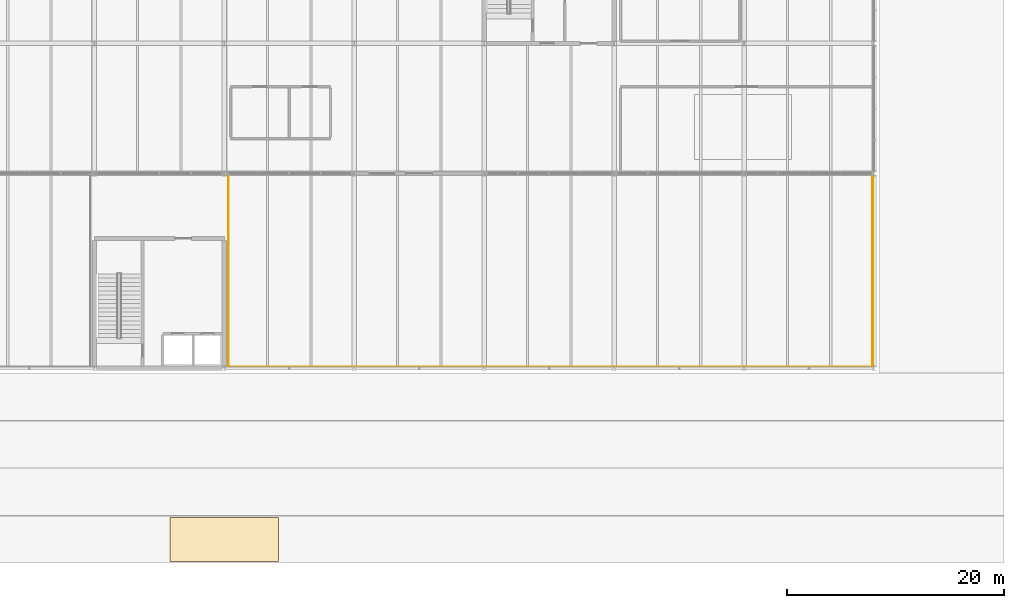
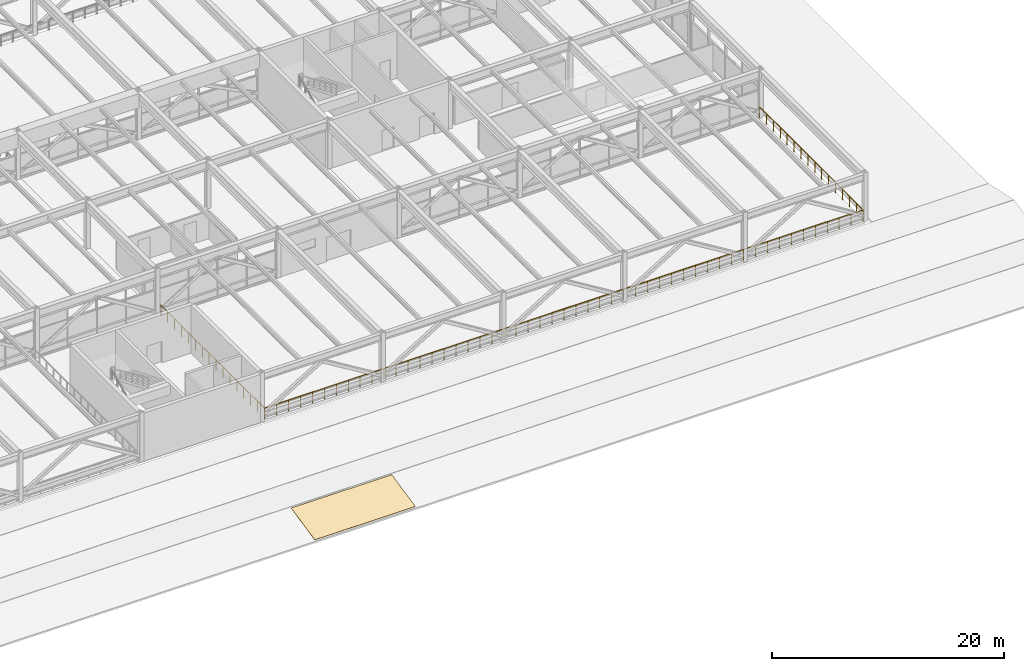
# One storey, part 40 of 42: 1 covering, 1 railing.
"""IFC4 building model written with IfcOpenShell, lengths in metres."""

from ifc_helpers import new_model, si_unit, direction, frame, origin, origin_2d, place, context, subcontext, project, spatial, polyline, circle, outline, extrude, material, layer, layer_set, type_object, element, save


model = new_model("IFC4")

# Units and contexts
model_context = context("Model", 3, precision=1e-05, world=origin(), true_north=direction((0.0, 1.0)))
body_context = subcontext(model_context, "Body", "Model", "MODEL_VIEW")
ifc_project = project(units=[si_unit("LENGTHUNIT", "METRE"), si_unit("AREAUNIT", "SQUARE_METRE"), si_unit("VOLUMEUNIT", "CUBIC_METRE"), si_unit("PLANEANGLEUNIT", "RADIAN"), si_unit("MASSUNIT", "GRAM", prefix="KILO")], contexts=[model_context])

# Site, building, storey
site_placement = place(None, origin())
site = spatial("IfcSite", under=ifc_project, at=site_placement, CompositionType="ELEMENT")
building_placement = place(site_placement, origin())
building = spatial("IfcBuilding", under=site, at=building_placement, Name="Girod Span Mobility Hub", CompositionType="ELEMENT")
storey_placement = place(building_placement, frame((0.0, 0.0, 32.39990234375)))
storey = spatial("IfcBuildingStorey", under=building, at=storey_placement, Name="L08", CompositionType="ELEMENT", Elevation=32.39990234375)

# Covering
ifc_material_1 = material(Name="EPDM Cool-Roof Waterproofing Membrane", Category="polymer")
ifc_layer_1 = layer(ifc_material_1, 0.02490234375)
ifc_layer_set_1 = layer_set([ifc_layer_1], Name="EPDM Cool-Roof Waterproofing Membrane")
covering_type = type_object("IfcCoveringType", Name="COV-RF-EPDM", PredefinedType="ROOFING", material=ifc_layer_set_1)
covering_placement = place(storey_placement, frame((79.0, 9.14990234375, 0.057373046875), z_axis=(0.0, -0.210318074485, 0.977633012712), x_axis=(1.0, 0.0, 0.0)))
element("IfcCovering", 1, at=covering_placement, inside=storey, type_object=covering_type, Name="Setback Roof Membrane L07 S", PredefinedType="ROOFING", context=body_context, shape_type="SweptSolid", body=[
    extrude(outline(polyline([(0.0, 0.0), (10.0, 0.0), (10.0, 4.162686841797971), (0.0, 4.162686841797971), (0.0, 0.0)])), origin(), (0.0, 0.0, -1.0), 0.02490234375),
])

# Railing
ifc_material_2 = material(Name="Anodised Aluminium Alloy 6063-T6", Category="aluminium")
ifc_layer_2 = layer(ifc_material_2, 0.070068359375)
ifc_layer_set_2 = layer_set([ifc_layer_2], Name="Anodised Aluminium Alloy 6063-T6")
railing_type = type_object("IfcRailingType", Name="RL-BAL-1140", PredefinedType="BALUSTRADE", material=ifc_layer_set_2)
railing_placement = place(storey_placement, frame((84.3701171875, 44.9599609375, 0.0)))
element("IfcRailing", 2, at=railing_placement, inside=storey, type_object=railing_type, Name="South East Rooftop Sports Court Perimeter Balustrade", PredefinedType="BALUSTRADE", context=body_context, shape_type="SweptSolid", body=[
    extrude(circle(Radius=0.02392578125, at=origin_2d()), frame((0.0, 0.0, 1.11572265625), z_axis=(0.0, -1.0, 0.0), x_axis=(1.0, 0.0, 0.0)), (0.0, 0.0, 1.0), 17.83984375),
    extrude(circle(Radius=0.02392578125, at=origin_2d()), frame((0.0, -17.83984375, 1.11572265625), z_axis=(1.0, 0.0, 0.0), x_axis=(0.0, 1.0, 0.0)), (0.0, 0.0, 1.0), 59.509765625),
    extrude(circle(Radius=0.02392578125, at=origin_2d()), frame((59.509765625, -17.83984375, 1.11572265625), z_axis=(0.0, 1.0, 0.0), x_axis=(-1.0, 0.0, 0.0)), (0.0, 0.0, 1.0), 17.83984375),
    extrude(circle(Radius=0.02099609375, at=origin_2d()), origin(), (0.0, 0.0, 1.0), 1.091796875),
    extrude(circle(Radius=0.02099609375, at=origin_2d()), frame((0.0, -1.189208984375, 0.0)), (0.0, 0.0, 1.0), 1.091796875),
    extrude(circle(Radius=0.02099609375, at=origin_2d()), frame((0.0, -2.378662109375, 0.0)), (0.0, 0.0, 1.0), 1.091796875),
    extrude(circle(Radius=0.02099609375, at=origin_2d()), frame((0.0, -3.56787109375, 0.0)), (0.0, 0.0, 1.0), 1.091796875),
    extrude(circle(Radius=0.02099609375, at=origin_2d()), frame((0.0, -4.75732421875, 0.0)), (0.0, 0.0, 1.0), 1.091796875),
    extrude(circle(Radius=0.02099609375, at=origin_2d()), frame((0.0, -5.946533203125, 0.0)), (0.0, 0.0, 1.0), 1.091796875),
    extrude(circle(Radius=0.02099609375, at=origin_2d()), frame((0.0, -7.135986328125, 0.0)), (0.0, 0.0, 1.0), 1.091796875),
    extrude(circle(Radius=0.02099609375, at=origin_2d()), frame((0.0, -8.3251953125, 0.0)), (0.0, 0.0, 1.0), 1.091796875),
    extrude(circle(Radius=0.02099609375, at=origin_2d()), frame((0.0, -9.5146484375, 0.0)), (0.0, 0.0, 1.0), 1.091796875),
    extrude(circle(Radius=0.02099609375, at=origin_2d()), frame((0.0, -10.703857421875, 0.0)), (0.0, 0.0, 1.0), 1.091796875),
    extrude(circle(Radius=0.02099609375, at=origin_2d()), frame((0.0, -11.893310546875, 0.0)), (0.0, 0.0, 1.0), 1.091796875),
    extrude(circle(Radius=0.02099609375, at=origin_2d()), frame((0.0, -13.08251953125, 0.0)), (0.0, 0.0, 1.0), 1.091796875),
    extrude(circle(Radius=0.02099609375, at=origin_2d()), frame((0.0, -14.27197265625, 0.0)), (0.0, 0.0, 1.0), 1.091796875),
    extrude(circle(Radius=0.02099609375, at=origin_2d()), frame((0.0, -15.461181640625, 0.0)), (0.0, 0.0, 1.0), 1.091796875),
    extrude(circle(Radius=0.02099609375, at=origin_2d()), frame((0.0, -16.650634765625, 0.0)), (0.0, 0.0, 1.0), 1.091796875),
    extrude(circle(Radius=0.02099609375, at=origin_2d()), frame((0.0, -17.83984375, 0.0)), (0.0, 0.0, 1.0), 1.091796875),
    extrude(circle(Radius=0.02099609375, at=origin_2d()), frame((1.190185546875, -17.83984375, 0.0)), (0.0, 0.0, 1.0), 1.091796875),
    extrude(circle(Radius=0.02099609375, at=origin_2d()), frame((2.38037109375, -17.83984375, 0.0)), (0.0, 0.0, 1.0), 1.091796875),
    extrude(circle(Radius=0.02099609375, at=origin_2d()), frame((3.570556640625, -17.83984375, 0.0)), (0.0, 0.0, 1.0), 1.091796875),
    extrude(circle(Radius=0.02099609375, at=origin_2d()), frame((4.7607421875, -17.83984375, 0.0)), (0.0, 0.0, 1.0), 1.091796875),
    extrude(circle(Radius=0.02099609375, at=origin_2d()), frame((5.950927734375, -17.83984375, 0.0)), (0.0, 0.0, 1.0), 1.091796875),
    extrude(circle(Radius=0.02099609375, at=origin_2d()), frame((7.14111328125, -17.83984375, 0.0)), (0.0, 0.0, 1.0), 1.091796875),
    extrude(circle(Radius=0.02099609375, at=origin_2d()), frame((8.331298828125, -17.83984375, 0.0)), (0.0, 0.0, 1.0), 1.091796875),
    extrude(circle(Radius=0.02099609375, at=origin_2d()), frame((9.521484375, -17.83984375, 0.0)), (0.0, 0.0, 1.0), 1.091796875),
    extrude(circle(Radius=0.02099609375, at=origin_2d()), frame((10.711669921875, -17.83984375, 0.0)), (0.0, 0.0, 1.0), 1.091796875),
    extrude(circle(Radius=0.02099609375, at=origin_2d()), frame((11.90185546875, -17.83984375, 0.0)), (0.0, 0.0, 1.0), 1.091796875),
    extrude(circle(Radius=0.02099609375, at=origin_2d()), frame((13.092041015625, -17.83984375, 0.0)), (0.0, 0.0, 1.0), 1.091796875),
    extrude(circle(Radius=0.02099609375, at=origin_2d()), frame((14.2822265625, -17.83984375, 0.0)), (0.0, 0.0, 1.0), 1.091796875),
    extrude(circle(Radius=0.02099609375, at=origin_2d()), frame((15.47265625, -17.83984375, 0.0)), (0.0, 0.0, 1.0), 1.091796875),
    extrude(circle(Radius=0.02099609375, at=origin_2d()), frame((16.662841796875, -17.83984375, 0.0)), (0.0, 0.0, 1.0), 1.091796875),
    extrude(circle(Radius=0.02099609375, at=origin_2d()), frame((17.85302734375, -17.83984375, 0.0)), (0.0, 0.0, 1.0), 1.091796875),
    extrude(circle(Radius=0.02099609375, at=origin_2d()), frame((19.043212890625, -17.83984375, 0.0)), (0.0, 0.0, 1.0), 1.091796875),
    extrude(circle(Radius=0.02099609375, at=origin_2d()), frame((20.2333984375, -17.83984375, 0.0)), (0.0, 0.0, 1.0), 1.091796875),
    extrude(circle(Radius=0.02099609375, at=origin_2d()), frame((21.423583984375, -17.83984375, 0.0)), (0.0, 0.0, 1.0), 1.091796875),
    extrude(circle(Radius=0.02099609375, at=origin_2d()), frame((22.61376953125, -17.83984375, 0.0)), (0.0, 0.0, 1.0), 1.091796875),
    extrude(circle(Radius=0.02099609375, at=origin_2d()), frame((23.803955078125, -17.83984375, 0.0)), (0.0, 0.0, 1.0), 1.091796875),
    extrude(circle(Radius=0.02099609375, at=origin_2d()), frame((24.994140625, -17.83984375, 0.0)), (0.0, 0.0, 1.0), 1.091796875),
    extrude(circle(Radius=0.02099609375, at=origin_2d()), frame((26.184326171875, -17.83984375, 0.0)), (0.0, 0.0, 1.0), 1.091796875),
    extrude(circle(Radius=0.02099609375, at=origin_2d()), frame((27.37451171875, -17.83984375, 0.0)), (0.0, 0.0, 1.0), 1.091796875),
    extrude(circle(Radius=0.02099609375, at=origin_2d()), frame((28.564697265625, -17.83984375, 0.0)), (0.0, 0.0, 1.0), 1.091796875),
    extrude(circle(Radius=0.02099609375, at=origin_2d()), frame((29.7548828125, -17.83984375, 0.0)), (0.0, 0.0, 1.0), 1.091796875),
    extrude(circle(Radius=0.02099609375, at=origin_2d()), frame((30.945068359375, -17.83984375, 0.0)), (0.0, 0.0, 1.0), 1.091796875),
    extrude(circle(Radius=0.02099609375, at=origin_2d()), frame((32.13525390625, -17.83984375, 0.0)), (0.0, 0.0, 1.0), 1.091796875),
    extrude(circle(Radius=0.02099609375, at=origin_2d()), frame((33.325439453125, -17.83984375, 0.0)), (0.0, 0.0, 1.0), 1.091796875),
    extrude(circle(Radius=0.02099609375, at=origin_2d()), frame((34.515625, -17.83984375, 0.0)), (0.0, 0.0, 1.0), 1.091796875),
    extrude(circle(Radius=0.02099609375, at=origin_2d()), frame((35.705810546875, -17.83984375, 0.0)), (0.0, 0.0, 1.0), 1.091796875),
    extrude(circle(Radius=0.02099609375, at=origin_2d()), frame((36.89599609375, -17.83984375, 0.0)), (0.0, 0.0, 1.0), 1.091796875),
    extrude(circle(Radius=0.02099609375, at=origin_2d()), frame((38.086181640625, -17.83984375, 0.0)), (0.0, 0.0, 1.0), 1.091796875),
    extrude(circle(Radius=0.02099609375, at=origin_2d()), frame((39.2763671875, -17.83984375, 0.0)), (0.0, 0.0, 1.0), 1.091796875),
    extrude(circle(Radius=0.02099609375, at=origin_2d()), frame((40.466552734375, -17.83984375, 0.0)), (0.0, 0.0, 1.0), 1.091796875),
    extrude(circle(Radius=0.02099609375, at=origin_2d()), frame((41.65673828125, -17.83984375, 0.0)), (0.0, 0.0, 1.0), 1.091796875),
    extrude(circle(Radius=0.02099609375, at=origin_2d()), frame((42.846923828125, -17.83984375, 0.0)), (0.0, 0.0, 1.0), 1.091796875),
    extrude(circle(Radius=0.02099609375, at=origin_2d()), frame((44.037109375, -17.83984375, 0.0)), (0.0, 0.0, 1.0), 1.091796875),
    extrude(circle(Radius=0.02099609375, at=origin_2d()), frame((45.2275390625, -17.83984375, 0.0)), (0.0, 0.0, 1.0), 1.091796875),
    extrude(circle(Radius=0.02099609375, at=origin_2d()), frame((46.417724609375, -17.83984375, 0.0)), (0.0, 0.0, 1.0), 1.091796875),
    extrude(circle(Radius=0.02099609375, at=origin_2d()), frame((47.60791015625, -17.83984375, 0.0)), (0.0, 0.0, 1.0), 1.091796875),
    extrude(circle(Radius=0.02099609375, at=origin_2d()), frame((48.798095703125, -17.83984375, 0.0)), (0.0, 0.0, 1.0), 1.091796875),
    extrude(circle(Radius=0.02099609375, at=origin_2d()), frame((49.98828125, -17.83984375, 0.0)), (0.0, 0.0, 1.0), 1.091796875),
    extrude(circle(Radius=0.02099609375, at=origin_2d()), frame((51.178466796875, -17.83984375, 0.0)), (0.0, 0.0, 1.0), 1.091796875),
    extrude(circle(Radius=0.02099609375, at=origin_2d()), frame((52.36865234375, -17.83984375, 0.0)), (0.0, 0.0, 1.0), 1.091796875),
    extrude(circle(Radius=0.02099609375, at=origin_2d()), frame((53.558837890625, -17.83984375, 0.0)), (0.0, 0.0, 1.0), 1.091796875),
    extrude(circle(Radius=0.02099609375, at=origin_2d()), frame((54.7490234375, -17.83984375, 0.0)), (0.0, 0.0, 1.0), 1.091796875),
    extrude(circle(Radius=0.02099609375, at=origin_2d()), frame((55.939208984375, -17.83984375, 0.0)), (0.0, 0.0, 1.0), 1.091796875),
    extrude(circle(Radius=0.02099609375, at=origin_2d()), frame((57.12939453125, -17.83984375, 0.0)), (0.0, 0.0, 1.0), 1.091796875),
    extrude(circle(Radius=0.02099609375, at=origin_2d()), frame((58.319580078125, -17.83984375, 0.0)), (0.0, 0.0, 1.0), 1.091796875),
    extrude(circle(Radius=0.02099609375, at=origin_2d()), frame((59.509765625, -17.83984375, 0.0)), (0.0, 0.0, 1.0), 1.091796875),
    extrude(circle(Radius=0.02099609375, at=origin_2d()), frame((59.509765625, -16.650634765625, 0.0)), (0.0, 0.0, 1.0), 1.091796875),
    extrude(circle(Radius=0.02099609375, at=origin_2d()), frame((59.509765625, -15.461181640625, 0.0)), (0.0, 0.0, 1.0), 1.091796875),
    extrude(circle(Radius=0.02099609375, at=origin_2d()), frame((59.509765625, -14.27197265625, 0.0)), (0.0, 0.0, 1.0), 1.091796875),
    extrude(circle(Radius=0.02099609375, at=origin_2d()), frame((59.509765625, -13.08251953125, 0.0)), (0.0, 0.0, 1.0), 1.091796875),
    extrude(circle(Radius=0.02099609375, at=origin_2d()), frame((59.509765625, -11.893310546875, 0.0)), (0.0, 0.0, 1.0), 1.091796875),
    extrude(circle(Radius=0.02099609375, at=origin_2d()), frame((59.509765625, -10.703857421875, 0.0)), (0.0, 0.0, 1.0), 1.091796875),
    extrude(circle(Radius=0.02099609375, at=origin_2d()), frame((59.509765625, -9.5146484375, 0.0)), (0.0, 0.0, 1.0), 1.091796875),
    extrude(circle(Radius=0.02099609375, at=origin_2d()), frame((59.509765625, -8.3251953125, 0.0)), (0.0, 0.0, 1.0), 1.091796875),
    extrude(circle(Radius=0.02099609375, at=origin_2d()), frame((59.509765625, -7.135986328125, 0.0)), (0.0, 0.0, 1.0), 1.091796875),
    extrude(circle(Radius=0.02099609375, at=origin_2d()), frame((59.509765625, -5.946533203125, 0.0)), (0.0, 0.0, 1.0), 1.091796875),
    extrude(circle(Radius=0.02099609375, at=origin_2d()), frame((59.509765625, -4.75732421875, 0.0)), (0.0, 0.0, 1.0), 1.091796875),
    extrude(circle(Radius=0.02099609375, at=origin_2d()), frame((59.509765625, -3.56787109375, 0.0)), (0.0, 0.0, 1.0), 1.091796875),
    extrude(circle(Radius=0.02099609375, at=origin_2d()), frame((59.509765625, -2.378662109375, 0.0)), (0.0, 0.0, 1.0), 1.091796875),
    extrude(circle(Radius=0.02099609375, at=origin_2d()), frame((59.509765625, -1.189208984375, 0.0)), (0.0, 0.0, 1.0), 1.091796875),
    extrude(circle(Radius=0.02099609375, at=origin_2d()), frame((59.509765625, 0.0, 0.0)), (0.0, 0.0, 1.0), 1.091796875),
])

save(model, "model.ifc")
